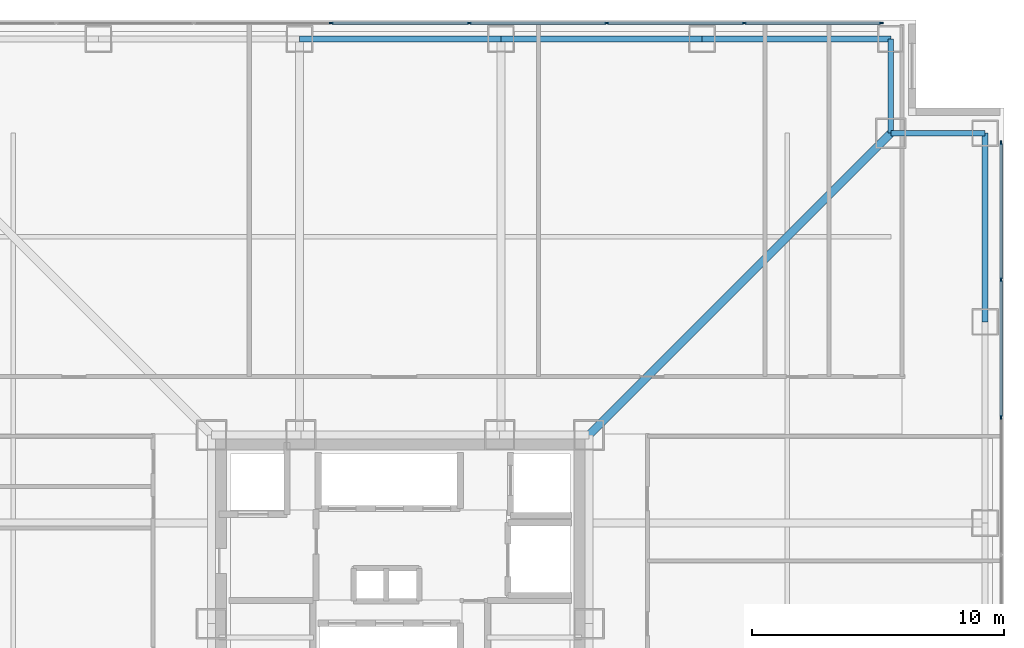
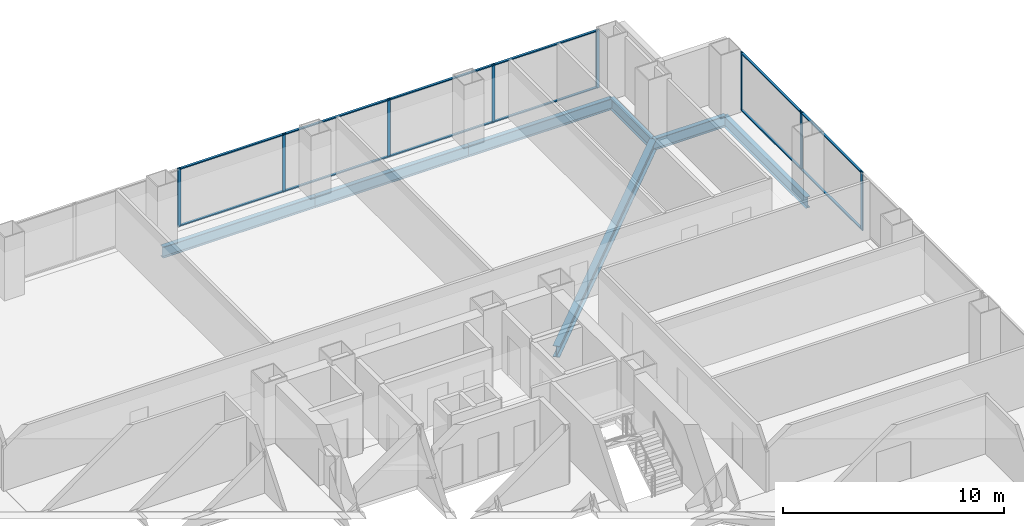
# One storey, part 13 of 19: 20 members, 7 beams, 2 elements without a shape of their own.
"""IFC4 building model written with IfcOpenShell, lengths in metres."""

import ifcopenshell
import ifcopenshell.guid

model = None  # the IFC model being written
_history = None  # IfcOwnerHistory: only IFC2X3 demands one
_inside = {}  # id of a spatial element -> (the spatial element, [elements in it])
_under = {}  # id of a project, library or spatial element -> (it, [spatial elements below it])
_declared = {}  # id of a project -> (the project, [libraries it declares])
_typed = {}  # id of a type object -> (the type object, [elements of that type])
_made_of = {}  # id of a material, layer set ... -> (it, [elements and type objects made of it])


def new_model(schema):
    """Start an empty IFC model of exactly this schema.

    Asked for "IFC4X3", IfcOpenShell would pick the latest addendum, in which some entities
    have other attributes; the version numbers below select the first issue.
    IFC2X3 requires an IfcOwnerHistory on every rooted entity: one is made here for all.
    """
    global model, _history
    if schema == "IFC4X3":
        model = ifcopenshell.file(schema_version=(4, 3, 0, 0))
    else:
        model = ifcopenshell.file(schema=schema)
    _inside.clear()
    _under.clear()
    _declared.clear()
    _typed.clear()
    _made_of.clear()
    _history = None
    if model.schema == "IFC2X3":
        org = make("IfcOrganization", Name="unknown")
        user = make(
            "IfcPersonAndOrganization",
            ThePerson=make("IfcPerson", FamilyName="unknown"),
            TheOrganization=org,
        )
        app = make(
            "IfcApplication",
            ApplicationDeveloper=org,
            Version="unknown",
            ApplicationFullName="unknown",
            ApplicationIdentifier="unknown",
        )
        _history = make(
            "IfcOwnerHistory",
            OwningUser=user,
            OwningApplication=app,
            ChangeAction="ADDED",
            CreationDate=0,
        )
    return model


def make(cls, **values):
    """One entity of the class cls with the attributes given. An attribute that is None is left unset."""
    return model.create_entity(
        cls, **{name: value for name, value in values.items() if value is not None}
    )


def rooted(cls, **values):
    """An entity with a GlobalId (a new one), such as an element, a storey or a relation."""
    return make(cls, GlobalId=ifcopenshell.guid.new(), OwnerHistory=_history, **values)


def si_unit(unit_type, name, prefix=None):
    """IfcSIUnit, for example si_unit("LENGTHUNIT", "METRE", prefix="MILLI")."""
    return make("IfcSIUnit", UnitType=unit_type, Prefix=prefix, Name=name)


def assignment(units):
    """IfcUnitAssignment: the units of a project."""
    return None if units is None else make("IfcUnitAssignment", Units=units)


def point(xyz):
    """IfcCartesianPoint."""
    return None if xyz is None else make("IfcCartesianPoint", Coordinates=xyz)


def direction(xyz):
    """IfcDirection."""
    return None if xyz is None else make("IfcDirection", DirectionRatios=xyz)


def frame(location, z_axis=None, x_axis=None):
    """IfcAxis2Placement3D, a coordinate frame: its origin and axes. An axis left out is left unset."""
    return make(
        "IfcAxis2Placement3D",
        Location=point(location),
        Axis=direction(z_axis),
        RefDirection=direction(x_axis),
    )


def frame_2d(location, x_axis=None):
    """IfcAxis2Placement2D, a coordinate frame in the plane: its origin and x axis."""
    return make(
        "IfcAxis2Placement2D", Location=point(location), RefDirection=direction(x_axis)
    )


def origin():
    """The frame at (0, 0, 0) with its axes left unset."""
    return frame((0.0, 0.0, 0.0))


def origin_2d():
    """The frame at (0, 0) in the plane with its x axis left unset."""
    return frame_2d((0.0, 0.0))


def place(relative_to, where):
    """IfcLocalPlacement: puts the frame where relative to a parent placement (None: the world)."""
    return make(
        "IfcLocalPlacement", PlacementRelTo=relative_to, RelativePlacement=where
    )


def context(
    kind, dimensions, precision=None, world=None, true_north=None, identifier=None
):
    """IfcGeometricRepresentationContext, for example the 3D "Model" context."""
    return make(
        "IfcGeometricRepresentationContext",
        ContextIdentifier=identifier,
        ContextType=kind,
        CoordinateSpaceDimension=dimensions,
        Precision=precision,
        WorldCoordinateSystem=world,
        TrueNorth=true_north,
    )


def subcontext(parent, identifier, kind, view, scale=None):
    """IfcGeometricRepresentationSubContext, for example "Body" below "Model"."""
    return make(
        "IfcGeometricRepresentationSubContext",
        ContextIdentifier=identifier,
        ContextType=kind,
        ParentContext=parent,
        TargetScale=scale,
        TargetView=view,
    )


def project(units=None, contexts=None):
    """IfcProject with its units and contexts."""
    return rooted(
        "IfcProject",
        Name="project",
        RepresentationContexts=contexts,
        UnitsInContext=assignment(units),
    )


def spatial(cls, under=None, at=None, **own):
    """A site, building, storey or space (cls), placed at a placement, below another one or the project."""
    s = rooted(cls, ObjectPlacement=at, **own)
    if under is not None:
        _under.setdefault(under.id(), (under, []))[1].append(s)
    return s


def profile(cls, at=None, kind="AREA", **sizes):
    """A parametric profile (cls). Its sizes go by their IFC names, for example OverallWidth=200.0."""
    return make(cls, ProfileType=kind, Position=at, **sizes)


def rectangle(**sizes):
    """IfcRectangleProfileDef."""
    return profile("IfcRectangleProfileDef", **sizes)


def i_section(**sizes):
    """IfcIShapeProfileDef."""
    return profile("IfcIShapeProfileDef", **sizes)


def extrude(swept, where, along, depth):
    """IfcExtrudedAreaSolid: the profile swept, set in the frame where, extruded along a direction by depth."""
    return make(
        "IfcExtrudedAreaSolid",
        SweptArea=swept,
        Position=where,
        ExtrudedDirection=direction(along),
        Depth=depth,
    )


def shape(context_of_items, identifier, shape_type, items):
    """IfcShapeRepresentation: the items that make up one representation, for example the "Body"."""
    return make(
        "IfcShapeRepresentation",
        ContextOfItems=context_of_items,
        RepresentationIdentifier=identifier,
        RepresentationType=shape_type,
        Items=items,
    )


def material(Name=None, Category=None):
    """IfcMaterial."""
    return make("IfcMaterial", Name=Name, Category=Category)


def layer(
    of_material, thickness, ventilated=None, Name=None, Category=None, Priority=None
):
    """IfcMaterialLayer: one layer of a wall or slab, of a material (None: an air gap)."""
    return make(
        "IfcMaterialLayer",
        Material=of_material,
        LayerThickness=thickness,
        IsVentilated=ventilated,
        Name=Name,
        Category=Category,
        Priority=Priority,
    )


def layer_set(layers, Name=None):
    """IfcMaterialLayerSet."""
    return make("IfcMaterialLayerSet", MaterialLayers=layers, LayerSetName=Name)


def material_profile(
    of_material, cross_section, Name=None, Category=None, Priority=None
):
    """IfcMaterialProfile: a cross section and its material."""
    return make(
        "IfcMaterialProfile",
        Name=Name,
        Material=of_material,
        Profile=cross_section,
        Priority=Priority,
        Category=Category,
    )


def profile_set(profiles, Name=None, composite=None):
    """IfcMaterialProfileSet."""
    return make(
        "IfcMaterialProfileSet",
        Name=Name,
        MaterialProfiles=profiles,
        CompositeProfile=composite,
    )


def made_of(thing, what):
    """Note that an element or type object is made of a material, layer set ...; save() writes the relation."""
    if what is not None:
        _made_of.setdefault(what.id(), (what, []))[1].append(thing)
    return thing


def type_object(cls, material=None, **own):
    """A type object (cls), such as IfcWallType, which elements share."""
    return made_of(rooted(cls, **own), material)


def element(
    cls,
    number,
    at=None,
    inside=None,
    cuts=None,
    type_object=None,
    material=None,
    context=None,
    identifier="Body",
    shape_type=None,
    held_by="IfcProductDefinitionShape",
    body=None,
    shapes=None,
    **own,
):
    """One element of the class cls, such as IfcWall. Its Tag is "e" and its number.

    at: its placement. inside: the storey or other place that contains it. cuts: it is an
    opening in that element (IfcRelVoidsElement). A single representation is given by context,
    identifier, shape_type and body (its items); several are given by shapes. held_by: the class
    of the entity that holds the representations. save() writes the other relations.
    """
    e = rooted(cls, Tag="e%d" % number, ObjectPlacement=at, **own)
    if body is not None:
        shapes = [shape(context, identifier, shape_type, body)]
    if shapes is not None:
        e.Representation = make(held_by, Representations=shapes)
    if inside is not None:
        _inside.setdefault(inside.id(), (inside, []))[1].append(e)
    if cuts is not None:
        rooted(
            "IfcRelVoidsElement", RelatingBuildingElement=cuts, RelatedOpeningElement=e
        )
    if type_object is not None:
        _typed.setdefault(type_object.id(), (type_object, []))[1].append(e)
    return made_of(e, material)


def aggregate(whole, parts):
    """IfcRelAggregates: a whole, such as a stair, and the parts it consists of."""
    return rooted("IfcRelAggregates", RelatingObject=whole, RelatedObjects=parts)


def save(model, path):
    """Write the relations noted so far, then the file.

    IfcRelAggregates (storeys below a building ...), IfcRelContainedInSpatialStructure (elements
    in a storey), IfcRelDefinesByType, IfcRelAssociatesMaterial and IfcRelDeclares: one each for
    every whole, place, type object, material and project.
    """
    for whole, parts in _under.values():
        aggregate(whole, parts)
    for where, things in _inside.values():
        rooted(
            "IfcRelContainedInSpatialStructure",
            RelatedElements=things,
            RelatingStructure=where,
        )
    for kind, things in _typed.values():
        rooted("IfcRelDefinesByType", RelatedObjects=things, RelatingType=kind)
    for what, things in _made_of.values():
        rooted("IfcRelAssociatesMaterial", RelatedObjects=things, RelatingMaterial=what)
    for by, libraries in _declared.values():
        rooted("IfcRelDeclares", RelatingContext=by, RelatedDefinitions=libraries)
    model.write(path)


model = new_model("IFC4")

# Units and contexts
model_context = context("Model", 3, precision=1e-05, world=origin(), true_north=direction((0.0, 1.0)))
body_context = subcontext(model_context, "Body", "Model", "MODEL_VIEW")
ifc_project = project(units=[si_unit("LENGTHUNIT", "METRE"), si_unit("AREAUNIT", "SQUARE_METRE"), si_unit("VOLUMEUNIT", "CUBIC_METRE"), si_unit("PLANEANGLEUNIT", "RADIAN"), si_unit("MASSUNIT", "GRAM", prefix="KILO")], contexts=[model_context])

# Site, building, storey
site_placement = place(None, origin())
site = spatial("IfcSite", under=ifc_project, at=site_placement, CompositionType="ELEMENT")
building_placement = place(site_placement, origin())
building = spatial("IfcBuilding", under=site, at=building_placement, Name="Trevonay Congress Spire", CompositionType="ELEMENT")
storey_placement = place(building_placement, frame((0.0, 0.0, 41.0)))
storey = spatial("IfcBuildingStorey", under=building, at=storey_placement, Name="L09", CompositionType="ELEMENT", Elevation=41.0)

# Beams
ifc_material_1 = material(Name="Steel ASTM A572 Grade 50", Category="steel")
ifc_material_profile_1 = material_profile(ifc_material_1, i_section(OverallWidth=0.324951171875, OverallDepth=0.615966796875, WebThickness=0.013916015625, FlangeThickness=0.021484375, FilletRadius=0.01806640625, at=origin_2d()), Name="W610x174")
ifc_profile_set_1 = profile_set([ifc_material_profile_1], Name="Steel ASTM A572 Grade 50")
beam_type_1 = type_object("IfcBeamType", Name="BM-GIRD-W610X174", PredefinedType="BEAM", material=ifc_profile_set_1)
beam_placement = place(storey_placement, frame((7.5, 7.5, -0.55810546875), z_axis=(0.707106781187, 0.707106781187, 0.0), x_axis=(-0.707106781187, 0.707106781187, 0.0)))
element("IfcBeam", 1, at=beam_placement, inside=storey, type_object=beam_type_1, Name="L09 structural beam BM-L09-CDNE", PredefinedType="BEAM", context=body_context, shape_type="SweptSolid", body=[
    extrude(i_section(OverallWidth=0.324951171875, OverallDepth=0.615966796875, WebThickness=0.013916015625, FlangeThickness=0.021484375, FilletRadius=0.01806640625, at=origin_2d()), origin(), (0.0, 0.0, 1.0), 16.970458984375),
])
ifc_material_profile_2 = material_profile(ifc_material_1, i_section(OverallWidth=0.22998046875, OverallDepth=0.616943359375, WebThickness=0.01318359375, FlangeThickness=0.022216796875, FilletRadius=0.01611328125, at=origin_2d()), Name="W610x140")
ifc_profile_set_2 = profile_set([ifc_material_profile_2], Name="Steel ASTM A572 Grade 50")
beam_type_2 = type_object("IfcBeamType", Name="BM-RING-W610X140", PredefinedType="BEAM", material=ifc_profile_set_2)
for number, where, z_axis, x_axis, name in (
    (2, (-4.0, 23.25, -0.55859375), (1.0, 0.0, 0.0), (0.0, 1.0, 0.0), "L09 structural beam BM-L09-PN3"),
    (3, (4.0, 23.25, -0.55859375), (1.0, 0.0, 0.0), (0.0, 1.0, 0.0), "L09 structural beam BM-L09-PN4"),
):
    element("IfcBeam", number, at=place(storey_placement, frame(where, z_axis=z_axis, x_axis=x_axis)), inside=storey, type_object=beam_type_2, Name=name, PredefinedType="BEAM", context=body_context, shape_type="SweptSolid", body=[
        extrude(i_section(OverallWidth=0.22998046875, OverallDepth=0.616943359375, WebThickness=0.01318359375, FlangeThickness=0.022216796875, FilletRadius=0.01611328125, at=origin_2d()), origin(), (0.0, 0.0, 1.0), 8.0),
    ])
for number, where, z_axis, x_axis, name in (
    (4, (12.0, 23.25, -0.55859375), (1.0, 0.0, 0.0), (0.0, 1.0, 0.0), "L09 structural beam BM-L09-PN5"),
    (5, (23.25, 12.0, -0.55859375), (0.0, 1.0, 0.0), (-1.0, 0.0, 0.0), "L09 structural beam BM-L09-PE5"),
):
    element("IfcBeam", number, at=place(storey_placement, frame(where, z_axis=z_axis, x_axis=x_axis)), inside=storey, type_object=beam_type_2, Name=name, PredefinedType="BEAM", context=body_context, shape_type="SweptSolid", body=[
        extrude(i_section(OverallWidth=0.22998046875, OverallDepth=0.616943359375, WebThickness=0.01318359375, FlangeThickness=0.022216796875, FilletRadius=0.01611328125, at=origin_2d()), origin(), (0.0, 0.0, 1.0), 7.5),
    ])
for number, where, z_axis, x_axis, name in (
    (6, (19.5, 23.25, -0.55859375), (0.0, -1.0, 0.0), (1.0, 0.0, 0.0), "L09 structural beam BM-L09-N1NE"),
    (7, (23.25, 19.5, -0.55859375), (-1.0, 0.0, 0.0), (0.0, -1.0, 0.0), "L09 structural beam BM-L09-N2NE"),
):
    element("IfcBeam", number, at=place(storey_placement, frame(where, z_axis=z_axis, x_axis=x_axis)), inside=storey, type_object=beam_type_2, Name=name, PredefinedType="BEAM", context=body_context, shape_type="SweptSolid", body=[
        extrude(i_section(OverallWidth=0.22998046875, OverallDepth=0.616943359375, WebThickness=0.01318359375, FlangeThickness=0.022216796875, FilletRadius=0.01611328125, at=origin_2d()), origin(), (0.0, 0.0, 1.0), 3.75),
    ])

# Curtain wall, members
ifc_material_2 = material(Name="Pale Anodised Aluminium EN AW-6063-T6", Category="aluminium")
ifc_layer = layer(ifc_material_2, 0.179931640625, Name="Pale Anodised Aluminium EN AW-6063-T6")
ifc_layer_set = layer_set([ifc_layer], Name="Pale Anodised Aluminium EN AW-6063-T6")
curtain_wall_type = type_object("IfcCurtainWallType", Name="CW-SYS02-HOTEL-PALE-METAL", PredefinedType="NOTDEFINED", material=ifc_layer_set)
curtain_wall_1_placement = place(storey_placement, origin())
curtain_wall_1 = element("IfcCurtainWall", 8, at=curtain_wall_1_placement, inside=storey, type_object=curtain_wall_type, Name="L09 N unitised curtain wall", PredefinedType="NOTDEFINED")
ifc_material_profile_3 = material_profile(ifc_material_2, rectangle(XDim=0.06005859375, YDim=0.159912109375, at=origin_2d()), Name="CW-MULLION-160-ALUMINIUM")
ifc_profile_set_3 = profile_set([ifc_material_profile_3], Name="Pale Anodised Aluminium EN AW-6063-T6")
member_type_1 = type_object("IfcMemberType", Name="CW-MULLION-160-ALUMINIUM", PredefinedType="MULLION", material=ifc_profile_set_3)
member_1_placement = place(storey_placement, frame((-2.735595703125, 23.8798828125, 0.0), z_axis=(0.0, 0.0, 1.0), x_axis=(0.0, 1.0, 0.0)))
member_1 = element("IfcMember", 9, at=member_1_placement, type_object=member_type_1, Name="CW02 mullion 4", PredefinedType="MULLION", context=body_context, shape_type="SweptSolid", body=[
    extrude(rectangle(XDim=0.06005859375, YDim=0.159912109375, at=origin_2d()), origin(), (0.0, 0.0, 1.0), 3.25),
])
member_2_placement = place(storey_placement, frame((2.735595703125, 23.8798828125, 0.0), z_axis=(0.0, 0.0, 1.0), x_axis=(0.0, 1.0, 0.0)))
member_2 = element("IfcMember", 10, at=member_2_placement, type_object=member_type_1, Name="CW02 mullion 5", PredefinedType="MULLION", context=body_context, shape_type="SweptSolid", body=[
    extrude(rectangle(XDim=0.06005859375, YDim=0.159912109375, at=origin_2d()), origin(), (0.0, 0.0, 1.0), 3.25),
])
member_3_placement = place(storey_placement, frame((8.20703125, 23.8798828125, 0.0), z_axis=(0.0, 0.0, 1.0), x_axis=(0.0, 1.0, 0.0)))
member_3 = element("IfcMember", 11, at=member_3_placement, type_object=member_type_1, Name="CW02 mullion 6", PredefinedType="MULLION", context=body_context, shape_type="SweptSolid", body=[
    extrude(rectangle(XDim=0.06005859375, YDim=0.159912109375, at=origin_2d()), origin(), (0.0, 0.0, 1.0), 3.25),
])
member_4_placement = place(storey_placement, frame((13.678466796875, 23.8798828125, 0.0), z_axis=(0.0, 0.0, 1.0), x_axis=(0.0, 1.0, 0.0)))
member_4 = element("IfcMember", 12, at=member_4_placement, type_object=member_type_1, Name="CW02 mullion 7", PredefinedType="MULLION", context=body_context, shape_type="SweptSolid", body=[
    extrude(rectangle(XDim=0.06005859375, YDim=0.159912109375, at=origin_2d()), origin(), (0.0, 0.0, 1.0), 3.25),
])
member_5_placement = place(storey_placement, frame((19.1201171875, 23.8798828125, 0.0), z_axis=(0.0, 0.0, 1.0), x_axis=(0.0, 1.0, 0.0)))
member_5 = element("IfcMember", 13, at=member_5_placement, type_object=member_type_1, Name="CW02 mullion 8", PredefinedType="MULLION", context=body_context, shape_type="SweptSolid", body=[
    extrude(rectangle(XDim=0.06005859375, YDim=0.159912109375, at=origin_2d()), origin(), (0.0, 0.0, 1.0), 3.25),
])

curtain_wall_2_placement = place(storey_placement, origin())
curtain_wall_2 = element("IfcCurtainWall", 14, at=curtain_wall_2_placement, inside=storey, type_object=curtain_wall_type, Name="L09 E unitised curtain wall", PredefinedType="NOTDEFINED")
member_6_placement = place(storey_placement, frame((23.8798828125, 8.20703125, 0.0), z_axis=(0.0, 0.0, 1.0), x_axis=(-1.0, 0.0, 0.0)))
member_6 = element("IfcMember", 15, at=member_6_placement, type_object=member_type_1, Name="CW02 mullion 6", PredefinedType="MULLION", context=body_context, shape_type="SweptSolid", body=[
    extrude(rectangle(XDim=0.06005859375, YDim=0.159912109375, at=origin_2d()), origin(), (0.0, 0.0, 1.0), 3.25),
])
member_7_placement = place(storey_placement, frame((23.8798828125, 13.678466796875, 0.0), z_axis=(0.0, 0.0, 1.0), x_axis=(-1.0, 0.0, 0.0)))
member_7 = element("IfcMember", 16, at=member_7_placement, type_object=member_type_1, Name="CW02 mullion 7", PredefinedType="MULLION", context=body_context, shape_type="SweptSolid", body=[
    extrude(rectangle(XDim=0.06005859375, YDim=0.159912109375, at=origin_2d()), origin(), (0.0, 0.0, 1.0), 3.25),
])
member_8_placement = place(storey_placement, frame((23.8798828125, 19.1201171875, 0.0), z_axis=(0.0, 0.0, 1.0), x_axis=(-1.0, 0.0, 0.0)))
member_8 = element("IfcMember", 17, at=member_8_placement, type_object=member_type_1, Name="CW02 mullion 8", PredefinedType="MULLION", context=body_context, shape_type="SweptSolid", body=[
    extrude(rectangle(XDim=0.06005859375, YDim=0.159912109375, at=origin_2d()), origin(), (0.0, 0.0, 1.0), 3.25),
])

# Member
ifc_material_profile_4 = material_profile(ifc_material_2, rectangle(XDim=0.1201171875, YDim=0.06005859375, at=origin_2d()), Name="CW-TRANSOM-120-ALUMINIUM")
ifc_profile_set_4 = profile_set([ifc_material_profile_4], Name="Pale Anodised Aluminium EN AW-6063-T6")
member_type_2 = type_object("IfcMemberType", Name="CW-TRANSOM-120-ALUMINIUM", PredefinedType="USERDEFINED", material=ifc_profile_set_4)
member_9_placement = place(storey_placement, frame((-2.705810546875, 23.8798828125, 0.06005859375), z_axis=(1.0, 0.0, 0.0), x_axis=(0.0, 1.0, 0.0)))
member_9 = element("IfcMember", 18, at=member_9_placement, type_object=member_type_2, Name="CW02 transom 4.1", ObjectType="TRANSOM", PredefinedType="USERDEFINED", context=body_context, shape_type="SweptSolid", body=[
    extrude(rectangle(XDim=0.1201171875, YDim=0.06005859375, at=origin_2d()), origin(), (0.0, 0.0, 1.0), 5.41162109375),
])

member_10_placement = place(storey_placement, frame((-2.705810546875, 23.8798828125, 3.18994140625), z_axis=(1.0, 0.0, 0.0), x_axis=(0.0, 1.0, 0.0)))
member_10 = element("IfcMember", 19, at=member_10_placement, type_object=member_type_2, Name="CW02 transom 4.2", ObjectType="TRANSOM", PredefinedType="USERDEFINED", context=body_context, shape_type="SweptSolid", body=[
    extrude(rectangle(XDim=0.1201171875, YDim=0.06005859375, at=origin_2d()), origin(), (0.0, 0.0, 1.0), 5.41162109375),
])

member_11_placement = place(storey_placement, frame((2.765625, 23.8798828125, 0.06005859375), z_axis=(1.0, 0.0, 0.0), x_axis=(0.0, 1.0, 0.0)))
member_11 = element("IfcMember", 20, at=member_11_placement, type_object=member_type_2, Name="CW02 transom 5.1", ObjectType="TRANSOM", PredefinedType="USERDEFINED", context=body_context, shape_type="SweptSolid", body=[
    extrude(rectangle(XDim=0.1201171875, YDim=0.06005859375, at=origin_2d()), origin(), (0.0, 0.0, 1.0), 5.41162109375),
])

member_12_placement = place(storey_placement, frame((2.765625, 23.8798828125, 3.18994140625), z_axis=(1.0, 0.0, 0.0), x_axis=(0.0, 1.0, 0.0)))
member_12 = element("IfcMember", 21, at=member_12_placement, type_object=member_type_2, Name="CW02 transom 5.2", ObjectType="TRANSOM", PredefinedType="USERDEFINED", context=body_context, shape_type="SweptSolid", body=[
    extrude(rectangle(XDim=0.1201171875, YDim=0.06005859375, at=origin_2d()), origin(), (0.0, 0.0, 1.0), 5.41162109375),
])

member_13_placement = place(storey_placement, frame((8.237060546875, 23.8798828125, 0.06005859375), z_axis=(1.0, 0.0, 0.0), x_axis=(0.0, 1.0, 0.0)))
member_13 = element("IfcMember", 22, at=member_13_placement, type_object=member_type_2, Name="CW02 transom 6.1", ObjectType="TRANSOM", PredefinedType="USERDEFINED", context=body_context, shape_type="SweptSolid", body=[
    extrude(rectangle(XDim=0.1201171875, YDim=0.06005859375, at=origin_2d()), origin(), (0.0, 0.0, 1.0), 5.41162109375),
])

member_14_placement = place(storey_placement, frame((8.237060546875, 23.8798828125, 3.18994140625), z_axis=(1.0, 0.0, 0.0), x_axis=(0.0, 1.0, 0.0)))
member_14 = element("IfcMember", 23, at=member_14_placement, type_object=member_type_2, Name="CW02 transom 6.2", ObjectType="TRANSOM", PredefinedType="USERDEFINED", context=body_context, shape_type="SweptSolid", body=[
    extrude(rectangle(XDim=0.1201171875, YDim=0.06005859375, at=origin_2d()), origin(), (0.0, 0.0, 1.0), 5.41162109375),
])

member_15_placement = place(storey_placement, frame((13.70849609375, 23.8798828125, 0.06005859375), z_axis=(1.0, 0.0, 0.0), x_axis=(0.0, 1.0, 0.0)))
member_15 = element("IfcMember", 24, at=member_15_placement, type_object=member_type_2, Name="CW02 transom 7.1", ObjectType="TRANSOM", PredefinedType="USERDEFINED", context=body_context, shape_type="SweptSolid", body=[
    extrude(rectangle(XDim=0.1201171875, YDim=0.06005859375, at=origin_2d()), origin(), (0.0, 0.0, 1.0), 5.381591796875),
])

member_16_placement = place(storey_placement, frame((13.70849609375, 23.8798828125, 3.18994140625), z_axis=(1.0, 0.0, 0.0), x_axis=(0.0, 1.0, 0.0)))
member_16 = element("IfcMember", 25, at=member_16_placement, type_object=member_type_2, Name="CW02 transom 7.2", ObjectType="TRANSOM", PredefinedType="USERDEFINED", context=body_context, shape_type="SweptSolid", body=[
    extrude(rectangle(XDim=0.1201171875, YDim=0.06005859375, at=origin_2d()), origin(), (0.0, 0.0, 1.0), 5.381591796875),
])

aggregate(curtain_wall_1, [member_1, member_2, member_3, member_4, member_5, member_9, member_10, member_11, member_12, member_13, member_14, member_15, member_16])

member_17_placement = place(storey_placement, frame((23.8798828125, 8.237060546875, 0.06005859375), z_axis=(0.0, 1.0, 0.0), x_axis=(-1.0, 0.0, 0.0)))
member_17 = element("IfcMember", 26, at=member_17_placement, type_object=member_type_2, Name="CW02 transom 6.1", ObjectType="TRANSOM", PredefinedType="USERDEFINED", context=body_context, shape_type="SweptSolid", body=[
    extrude(rectangle(XDim=0.1201171875, YDim=0.06005859375, at=origin_2d()), origin(), (0.0, 0.0, 1.0), 5.41162109375),
])

member_18_placement = place(storey_placement, frame((23.8798828125, 8.237060546875, 3.18994140625), z_axis=(0.0, 1.0, 0.0), x_axis=(-1.0, 0.0, 0.0)))
member_18 = element("IfcMember", 27, at=member_18_placement, type_object=member_type_2, Name="CW02 transom 6.2", ObjectType="TRANSOM", PredefinedType="USERDEFINED", context=body_context, shape_type="SweptSolid", body=[
    extrude(rectangle(XDim=0.1201171875, YDim=0.06005859375, at=origin_2d()), origin(), (0.0, 0.0, 1.0), 5.41162109375),
])

member_19_placement = place(storey_placement, frame((23.8798828125, 13.70849609375, 0.06005859375), z_axis=(0.0, 1.0, 0.0), x_axis=(-1.0, 0.0, 0.0)))
member_19 = element("IfcMember", 28, at=member_19_placement, type_object=member_type_2, Name="CW02 transom 7.1", ObjectType="TRANSOM", PredefinedType="USERDEFINED", context=body_context, shape_type="SweptSolid", body=[
    extrude(rectangle(XDim=0.1201171875, YDim=0.06005859375, at=origin_2d()), origin(), (0.0, 0.0, 1.0), 5.381591796875),
])

member_20_placement = place(storey_placement, frame((23.8798828125, 13.70849609375, 3.18994140625), z_axis=(0.0, 1.0, 0.0), x_axis=(-1.0, 0.0, 0.0)))
member_20 = element("IfcMember", 29, at=member_20_placement, type_object=member_type_2, Name="CW02 transom 7.2", ObjectType="TRANSOM", PredefinedType="USERDEFINED", context=body_context, shape_type="SweptSolid", body=[
    extrude(rectangle(XDim=0.1201171875, YDim=0.06005859375, at=origin_2d()), origin(), (0.0, 0.0, 1.0), 5.381591796875),
])

aggregate(curtain_wall_2, [member_6, member_7, member_8, member_17, member_18, member_19, member_20])

save(model, "model.ifc")
